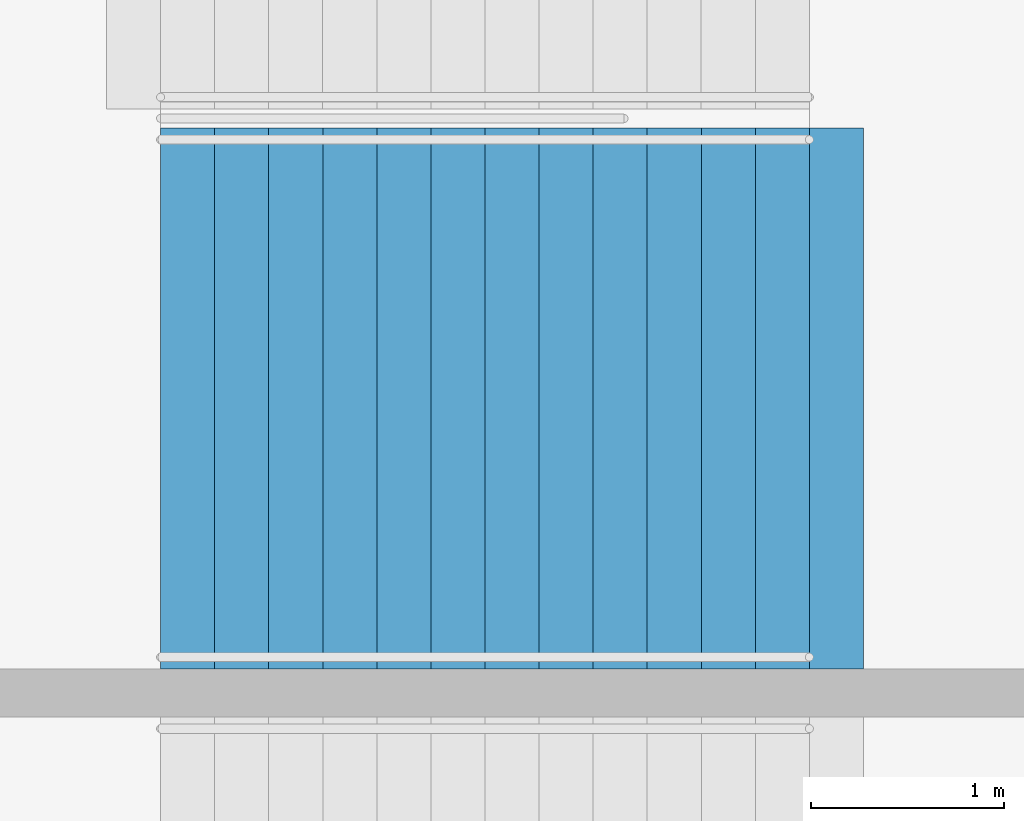
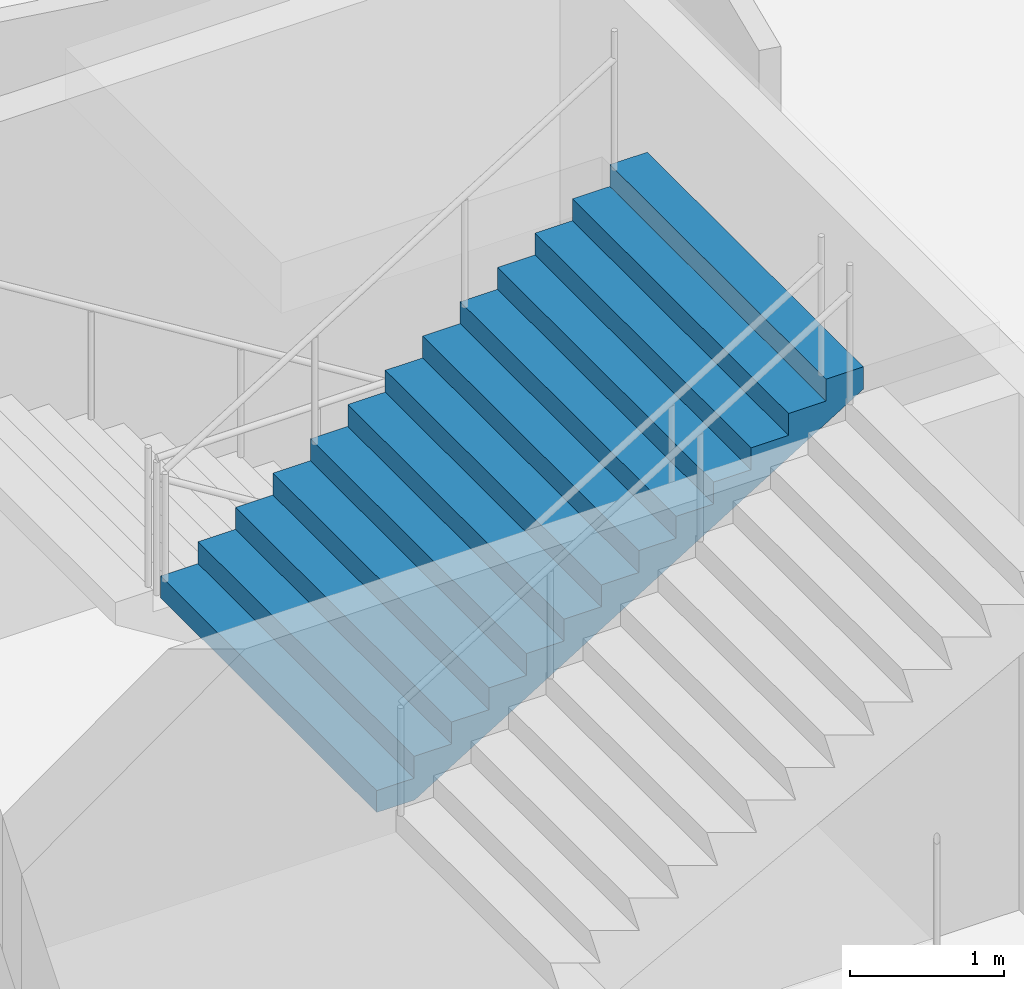
# One storey, part 111 of 175: 1 stair flight, 1 element without a shape of its own.
"""IFC4 building model written with IfcOpenShell, lengths in metres."""

from ifc_helpers import new_model, si_unit, direction, frame, origin, place, context, subcontext, project, spatial, faceted_brep, material, type_object, element, aggregate, save


model = new_model("IFC4")

# Units and contexts
model_context = context("Model", 3, precision=1e-05, world=origin(), true_north=direction((0.0, 1.0)))
body_context = subcontext(model_context, "Body", "Model", "MODEL_VIEW")
ifc_project = project(units=[si_unit("LENGTHUNIT", "METRE"), si_unit("AREAUNIT", "SQUARE_METRE"), si_unit("VOLUMEUNIT", "CUBIC_METRE"), si_unit("PLANEANGLEUNIT", "RADIAN"), si_unit("MASSUNIT", "GRAM", prefix="KILO")], contexts=[model_context])

# Site, building, storey
site_placement = place(None, origin())
site = spatial("IfcSite", under=ifc_project, at=site_placement, CompositionType="ELEMENT")
building_placement = place(site_placement, origin())
building = spatial("IfcBuilding", under=site, at=building_placement, Name="Ogive Plaza Stadium", CompositionType="ELEMENT")
storey_placement = place(building_placement, origin())
storey = spatial("IfcBuildingStorey", under=building, at=storey_placement, Name="L00", CompositionType="ELEMENT", Elevation=0.0)

# Stair, stair flight
ifc_material_1 = material(Name="Concrete C40/50", Category="concrete")
stair_type = type_object("IfcStairType", Name="Exit stair", PredefinedType="STRAIGHT_RUN_STAIR", material=ifc_material_1)
stair_placement = place(storey_placement, origin())
stair = element("IfcStair", 1, at=stair_placement, inside=storey, type_object=stair_type, Name="Exit stair ST28A L00 to L01", PredefinedType="STRAIGHT_RUN_STAIR")
ifc_material_2 = material(Name="Concrete C40/50", Category="concrete")
stair_flight_type = type_object("IfcStairFlightType", Name="Exit stair flight", PredefinedType="STRAIGHT", material=ifc_material_2)
stair_flight_placement = place(storey_placement, frame((-79.7099609375, 54.02490234375, 2.25), z_axis=(0.0, 0.0, 1.0), x_axis=(1.0, 0.0, 0.0)))
stair_flight = element("IfcStairFlight", 2, at=stair_flight_placement, type_object=stair_flight_type, Name="ST28A flight 2", NumberOfRisers=13, NumberOfTreads=12, PredefinedType="STRAIGHT", RiserHeight=0.173076923, TreadLength=0.28, context=body_context, shape_type="Brep", body=[
    faceted_brep([(0.28515625, -1.39990234375, 0.0), (3.639892578125, -1.39990234375, 2.07373046875), (3.639892578125, -1.39990234375, 2.25), (3.360107421875, -1.39990234375, 2.25), (3.360107421875, -1.39990234375, 2.076904296875), (3.080078125, -1.39990234375, 2.076904296875), (3.080078125, -1.39990234375, 1.90380859375), (2.800048828125, -1.39990234375, 1.90380859375), (2.800048828125, -1.39990234375, 1.730712890625), (2.52001953125, -1.39990234375, 1.730712890625), (2.52001953125, -1.39990234375, 1.5576171875), (2.239990234375, -1.39990234375, 1.5576171875), (2.239990234375, -1.39990234375, 1.384521484375), (1.9599609375, -1.39990234375, 1.384521484375), (1.9599609375, -1.39990234375, 1.21142578125), (1.679931640625, -1.39990234375, 1.21142578125), (1.679931640625, -1.39990234375, 1.03857421875), (1.39990234375, -1.39990234375, 1.03857421875), (1.39990234375, -1.39990234375, 0.865478515625), (1.1201171875, -1.39990234375, 0.865478515625), (1.1201171875, -1.39990234375, 0.6923828125), (0.840087890625, -1.39990234375, 0.6923828125), (0.840087890625, -1.39990234375, 0.519287109375), (0.56005859375, -1.39990234375, 0.519287109375), (0.56005859375, -1.39990234375, 0.34619140625), (0.280029296875, -1.39990234375, 0.34619140625), (0.280029296875, -1.39990234375, 0.173095703125), (0.0, -1.39990234375, 0.173095703125), (0.0, -1.39990234375, 0.0), (0.0, 1.39990234375, 0.0), (0.0, 1.39990234375, 0.173095703125), (0.280029296875, 1.39990234375, 0.173095703125), (0.280029296875, 1.39990234375, 0.34619140625), (0.56005859375, 1.39990234375, 0.34619140625), (0.56005859375, 1.39990234375, 0.519287109375), (0.840087890625, 1.39990234375, 0.519287109375), (0.840087890625, 1.39990234375, 0.6923828125), (1.1201171875, 1.39990234375, 0.6923828125), (1.1201171875, 1.39990234375, 0.865478515625), (1.39990234375, 1.39990234375, 0.865478515625), (1.39990234375, 1.39990234375, 1.03857421875), (1.679931640625, 1.39990234375, 1.03857421875), (1.679931640625, 1.39990234375, 1.21142578125), (1.9599609375, 1.39990234375, 1.21142578125), (1.9599609375, 1.39990234375, 1.384521484375), (2.239990234375, 1.39990234375, 1.384521484375), (2.239990234375, 1.39990234375, 1.5576171875), (2.52001953125, 1.39990234375, 1.5576171875), (2.52001953125, 1.39990234375, 1.730712890625), (2.800048828125, 1.39990234375, 1.730712890625), (2.800048828125, 1.39990234375, 1.90380859375), (3.080078125, 1.39990234375, 1.90380859375), (3.080078125, 1.39990234375, 2.076904296875), (3.360107421875, 1.39990234375, 2.076904296875), (3.360107421875, 1.39990234375, 2.25), (3.639892578125, 1.39990234375, 2.25), (3.639892578125, 1.39990234375, 2.07373046875), (0.28515625, 1.39990234375, 0.0), (0.28515625, -1.0888671875, 0.0), (3.639892578125, -1.0888671875, 2.07373046875), (0.28515625, -0.77783203125, 0.0), (3.639892578125, -0.77783203125, 2.07373046875), (0.28515625, -0.466796875, 0.0), (3.639892578125, -0.466796875, 2.07373046875), (0.28515625, -0.155517578125, 0.0), (3.639892578125, -0.155517578125, 2.07373046875), (0.28515625, 0.155517578125, 0.0), (3.639892578125, 0.155517578125, 2.07373046875), (0.28515625, 0.466796875, 0.0), (3.639892578125, 0.466796875, 2.07373046875), (0.28515625, 0.77783203125, 0.0), (3.639892578125, 0.77783203125, 2.07373046875), (0.28515625, 1.0888671875, 0.0), (3.639892578125, 1.0888671875, 2.07373046875), (3.639892578125, -1.0888671875, 2.25), (3.639892578125, -0.77783203125, 2.25), (3.639892578125, -0.466796875, 2.25), (3.639892578125, -0.155517578125, 2.25), (3.639892578125, 0.155517578125, 2.25), (3.639892578125, 0.466796875, 2.25), (3.639892578125, 0.77783203125, 2.25), (3.639892578125, 1.0888671875, 2.25), (3.360107421875, -1.0888671875, 2.25), (3.360107421875, -0.77783203125, 2.25), (3.360107421875, -0.466796875, 2.25), (3.360107421875, -0.155517578125, 2.25), (3.360107421875, 0.155517578125, 2.25), (3.360107421875, 0.466796875, 2.25), (3.360107421875, 0.77783203125, 2.25), (3.360107421875, 1.0888671875, 2.25), (3.360107421875, -1.0888671875, 2.076904296875), (3.360107421875, -0.77783203125, 2.076904296875), (3.360107421875, -0.466796875, 2.076904296875), (3.360107421875, -0.155517578125, 2.076904296875), (3.360107421875, 0.155517578125, 2.076904296875), (3.360107421875, 0.466796875, 2.076904296875), (3.360107421875, 0.77783203125, 2.076904296875), (3.360107421875, 1.0888671875, 2.076904296875), (3.080078125, -1.0888671875, 2.076904296875), (3.080078125, -0.77783203125, 2.076904296875), (3.080078125, -0.466796875, 2.076904296875), (3.080078125, -0.155517578125, 2.076904296875), (3.080078125, 0.155517578125, 2.076904296875), (3.080078125, 0.466796875, 2.076904296875), (3.080078125, 0.77783203125, 2.076904296875), (3.080078125, 1.0888671875, 2.076904296875), (3.080078125, -1.0888671875, 1.90380859375), (3.080078125, -0.77783203125, 1.90380859375), (3.080078125, -0.466796875, 1.90380859375), (3.080078125, -0.155517578125, 1.90380859375), (3.080078125, 0.155517578125, 1.90380859375), (3.080078125, 0.466796875, 1.90380859375), (3.080078125, 0.77783203125, 1.90380859375), (3.080078125, 1.0888671875, 1.90380859375), (2.800048828125, -1.0888671875, 1.90380859375), (2.800048828125, -0.77783203125, 1.90380859375), (2.800048828125, -0.466796875, 1.90380859375), (2.800048828125, -0.155517578125, 1.90380859375), (2.800048828125, 0.155517578125, 1.90380859375), (2.800048828125, 0.466796875, 1.90380859375), (2.800048828125, 0.77783203125, 1.90380859375), (2.800048828125, 1.0888671875, 1.90380859375), (2.800048828125, -1.0888671875, 1.730712890625), (2.800048828125, -0.77783203125, 1.730712890625), (2.800048828125, -0.466796875, 1.730712890625), (2.800048828125, -0.155517578125, 1.730712890625), (2.800048828125, 0.155517578125, 1.730712890625), (2.800048828125, 0.466796875, 1.730712890625), (2.800048828125, 0.77783203125, 1.730712890625), (2.800048828125, 1.0888671875, 1.730712890625), (2.52001953125, -1.0888671875, 1.730712890625), (2.52001953125, -0.77783203125, 1.730712890625), (2.52001953125, -0.466796875, 1.730712890625), (2.52001953125, -0.155517578125, 1.730712890625), (2.52001953125, 0.155517578125, 1.730712890625), (2.52001953125, 0.466796875, 1.730712890625), (2.52001953125, 0.77783203125, 1.730712890625), (2.52001953125, 1.0888671875, 1.730712890625), (2.52001953125, -1.0888671875, 1.5576171875), (2.52001953125, -0.77783203125, 1.5576171875), (2.52001953125, -0.466796875, 1.5576171875), (2.52001953125, -0.155517578125, 1.5576171875), (2.52001953125, 0.155517578125, 1.5576171875), (2.52001953125, 0.466796875, 1.5576171875), (2.52001953125, 0.77783203125, 1.5576171875), (2.52001953125, 1.0888671875, 1.5576171875), (2.239990234375, -1.0888671875, 1.5576171875), (2.239990234375, -0.77783203125, 1.5576171875), (2.239990234375, -0.466796875, 1.5576171875), (2.239990234375, -0.155517578125, 1.5576171875), (2.239990234375, 0.155517578125, 1.5576171875), (2.239990234375, 0.466796875, 1.5576171875), (2.239990234375, 0.77783203125, 1.5576171875), (2.239990234375, 1.0888671875, 1.5576171875), (2.239990234375, -1.0888671875, 1.384521484375), (2.239990234375, -0.77783203125, 1.384521484375), (2.239990234375, -0.466796875, 1.384521484375), (2.239990234375, -0.155517578125, 1.384521484375), (2.239990234375, 0.155517578125, 1.384521484375), (2.239990234375, 0.466796875, 1.384521484375), (2.239990234375, 0.77783203125, 1.384521484375), (2.239990234375, 1.0888671875, 1.384521484375), (1.9599609375, -1.0888671875, 1.384521484375), (1.9599609375, -0.77783203125, 1.384521484375), (1.9599609375, -0.466796875, 1.384521484375), (1.9599609375, -0.155517578125, 1.384521484375), (1.9599609375, 0.155517578125, 1.384521484375), (1.9599609375, 0.466796875, 1.384521484375), (1.9599609375, 0.77783203125, 1.384521484375), (1.9599609375, 1.0888671875, 1.384521484375), (1.9599609375, -1.0888671875, 1.21142578125), (1.9599609375, -0.77783203125, 1.21142578125), (1.9599609375, -0.466796875, 1.21142578125), (1.9599609375, -0.155517578125, 1.21142578125), (1.9599609375, 0.155517578125, 1.21142578125), (1.9599609375, 0.466796875, 1.21142578125), (1.9599609375, 0.77783203125, 1.21142578125), (1.9599609375, 1.0888671875, 1.21142578125), (1.679931640625, -1.0888671875, 1.21142578125), (1.679931640625, -0.77783203125, 1.21142578125), (1.679931640625, -0.466796875, 1.21142578125), (1.679931640625, -0.155517578125, 1.21142578125), (1.679931640625, 0.155517578125, 1.21142578125), (1.679931640625, 0.466796875, 1.21142578125), (1.679931640625, 0.77783203125, 1.21142578125), (1.679931640625, 1.0888671875, 1.21142578125), (1.679931640625, -1.0888671875, 1.03857421875), (1.679931640625, -0.77783203125, 1.03857421875), (1.679931640625, -0.466796875, 1.03857421875), (1.679931640625, -0.155517578125, 1.03857421875), (1.679931640625, 0.155517578125, 1.03857421875), (1.679931640625, 0.466796875, 1.03857421875), (1.679931640625, 0.77783203125, 1.03857421875), (1.679931640625, 1.0888671875, 1.03857421875), (1.39990234375, -1.0888671875, 1.03857421875), (1.39990234375, -0.77783203125, 1.03857421875), (1.39990234375, -0.466796875, 1.03857421875), (1.39990234375, -0.155517578125, 1.03857421875), (1.39990234375, 0.155517578125, 1.03857421875), (1.39990234375, 0.466796875, 1.03857421875), (1.39990234375, 0.77783203125, 1.03857421875), (1.39990234375, 1.0888671875, 1.03857421875), (1.39990234375, -1.0888671875, 0.865478515625), (1.39990234375, -0.77783203125, 0.865478515625), (1.39990234375, -0.466796875, 0.865478515625), (1.39990234375, -0.155517578125, 0.865478515625), (1.39990234375, 0.155517578125, 0.865478515625), (1.39990234375, 0.466796875, 0.865478515625), (1.39990234375, 0.77783203125, 0.865478515625), (1.39990234375, 1.0888671875, 0.865478515625), (1.1201171875, -1.0888671875, 0.865478515625), (1.1201171875, -0.77783203125, 0.865478515625), (1.1201171875, -0.466796875, 0.865478515625), (1.1201171875, -0.155517578125, 0.865478515625), (1.1201171875, 0.155517578125, 0.865478515625), (1.1201171875, 0.466796875, 0.865478515625), (1.1201171875, 0.77783203125, 0.865478515625), (1.1201171875, 1.0888671875, 0.865478515625), (1.1201171875, -1.0888671875, 0.6923828125), (1.1201171875, -0.77783203125, 0.6923828125), (1.1201171875, -0.466796875, 0.6923828125), (1.1201171875, -0.155517578125, 0.6923828125), (1.1201171875, 0.155517578125, 0.6923828125), (1.1201171875, 0.466796875, 0.6923828125), (1.1201171875, 0.77783203125, 0.6923828125), (1.1201171875, 1.0888671875, 0.6923828125), (0.840087890625, -1.0888671875, 0.6923828125), (0.840087890625, -0.77783203125, 0.6923828125), (0.840087890625, -0.466796875, 0.6923828125), (0.840087890625, -0.155517578125, 0.6923828125), (0.840087890625, 0.155517578125, 0.6923828125), (0.840087890625, 0.466796875, 0.6923828125), (0.840087890625, 0.77783203125, 0.6923828125), (0.840087890625, 1.0888671875, 0.6923828125), (0.840087890625, -1.0888671875, 0.519287109375), (0.840087890625, -0.77783203125, 0.519287109375), (0.840087890625, -0.466796875, 0.519287109375), (0.840087890625, -0.155517578125, 0.519287109375), (0.840087890625, 0.155517578125, 0.519287109375), (0.840087890625, 0.466796875, 0.519287109375), (0.840087890625, 0.77783203125, 0.519287109375), (0.840087890625, 1.0888671875, 0.519287109375), (0.56005859375, -1.0888671875, 0.519287109375), (0.56005859375, -0.77783203125, 0.519287109375), (0.56005859375, -0.466796875, 0.519287109375), (0.56005859375, -0.155517578125, 0.519287109375), (0.56005859375, 0.155517578125, 0.519287109375), (0.56005859375, 0.466796875, 0.519287109375), (0.56005859375, 0.77783203125, 0.519287109375), (0.56005859375, 1.0888671875, 0.519287109375), (0.56005859375, -1.0888671875, 0.34619140625), (0.56005859375, -0.77783203125, 0.34619140625), (0.56005859375, -0.466796875, 0.34619140625), (0.56005859375, -0.155517578125, 0.34619140625), (0.56005859375, 0.155517578125, 0.34619140625), (0.56005859375, 0.466796875, 0.34619140625), (0.56005859375, 0.77783203125, 0.34619140625), (0.56005859375, 1.0888671875, 0.34619140625), (0.280029296875, -1.0888671875, 0.34619140625), (0.280029296875, -0.77783203125, 0.34619140625), (0.280029296875, -0.466796875, 0.34619140625), (0.280029296875, -0.155517578125, 0.34619140625), (0.280029296875, 0.155517578125, 0.34619140625), (0.280029296875, 0.466796875, 0.34619140625), (0.280029296875, 0.77783203125, 0.34619140625), (0.280029296875, 1.0888671875, 0.34619140625), (0.280029296875, -1.0888671875, 0.173095703125), (0.280029296875, -0.77783203125, 0.173095703125), (0.280029296875, -0.466796875, 0.173095703125), (0.280029296875, -0.155517578125, 0.173095703125), (0.280029296875, 0.155517578125, 0.173095703125), (0.280029296875, 0.466796875, 0.173095703125), (0.280029296875, 0.77783203125, 0.173095703125), (0.280029296875, 1.0888671875, 0.173095703125), (0.0, -1.0888671875, 0.173095703125), (0.0, -0.77783203125, 0.173095703125), (0.0, -0.466796875, 0.173095703125), (0.0, -0.155517578125, 0.173095703125), (0.0, 0.155517578125, 0.173095703125), (0.0, 0.466796875, 0.173095703125), (0.0, 0.77783203125, 0.173095703125), (0.0, 1.0888671875, 0.173095703125), (0.0, -1.0888671875, 0.0), (0.0, -0.77783203125, 0.0), (0.0, -0.466796875, 0.0), (0.0, -0.155517578125, 0.0), (0.0, 0.155517578125, 0.0), (0.0, 0.466796875, 0.0), (0.0, 0.77783203125, 0.0), (0.0, 1.0888671875, 0.0)], [[[0, 1, 2, 3, 4, 5, 6, 7, 8, 9, 10, 11, 12, 13, 14, 15, 16, 17, 18, 19, 20, 21, 22, 23, 24, 25, 26, 27, 28]], [[29, 30, 31, 32, 33, 34, 35, 36, 37, 38, 39, 40, 41, 42, 43, 44, 45, 46, 47, 48, 49, 50, 51, 52, 53, 54, 55, 56, 57]], [[0, 58, 59, 1]], [[58, 60, 61, 59]], [[60, 62, 63, 61]], [[62, 64, 65, 63]], [[64, 66, 67, 65]], [[66, 68, 69, 67]], [[68, 70, 71, 69]], [[70, 72, 73, 71]], [[72, 57, 56, 73]], [[1, 59, 74, 2]], [[59, 61, 75, 74]], [[61, 63, 76, 75]], [[63, 65, 77, 76]], [[65, 67, 78, 77]], [[67, 69, 79, 78]], [[69, 71, 80, 79]], [[71, 73, 81, 80]], [[73, 56, 55, 81]], [[2, 74, 82, 3]], [[74, 75, 83, 82]], [[75, 76, 84, 83]], [[76, 77, 85, 84]], [[77, 78, 86, 85]], [[78, 79, 87, 86]], [[79, 80, 88, 87]], [[80, 81, 89, 88]], [[81, 55, 54, 89]], [[3, 82, 90, 4]], [[82, 83, 91, 90]], [[83, 84, 92, 91]], [[84, 85, 93, 92]], [[85, 86, 94, 93]], [[86, 87, 95, 94]], [[87, 88, 96, 95]], [[88, 89, 97, 96]], [[89, 54, 53, 97]], [[4, 90, 98, 5]], [[90, 91, 99, 98]], [[91, 92, 100, 99]], [[92, 93, 101, 100]], [[93, 94, 102, 101]], [[94, 95, 103, 102]], [[95, 96, 104, 103]], [[96, 97, 105, 104]], [[97, 53, 52, 105]], [[5, 98, 106, 6]], [[98, 99, 107, 106]], [[99, 100, 108, 107]], [[100, 101, 109, 108]], [[101, 102, 110, 109]], [[102, 103, 111, 110]], [[103, 104, 112, 111]], [[104, 105, 113, 112]], [[105, 52, 51, 113]], [[6, 106, 114, 7]], [[106, 107, 115, 114]], [[107, 108, 116, 115]], [[108, 109, 117, 116]], [[109, 110, 118, 117]], [[110, 111, 119, 118]], [[111, 112, 120, 119]], [[112, 113, 121, 120]], [[113, 51, 50, 121]], [[7, 114, 122, 8]], [[114, 115, 123, 122]], [[115, 116, 124, 123]], [[116, 117, 125, 124]], [[117, 118, 126, 125]], [[118, 119, 127, 126]], [[119, 120, 128, 127]], [[120, 121, 129, 128]], [[121, 50, 49, 129]], [[8, 122, 130, 9]], [[122, 123, 131, 130]], [[123, 124, 132, 131]], [[124, 125, 133, 132]], [[125, 126, 134, 133]], [[126, 127, 135, 134]], [[127, 128, 136, 135]], [[128, 129, 137, 136]], [[129, 49, 48, 137]], [[9, 130, 138, 10]], [[130, 131, 139, 138]], [[131, 132, 140, 139]], [[132, 133, 141, 140]], [[133, 134, 142, 141]], [[134, 135, 143, 142]], [[135, 136, 144, 143]], [[136, 137, 145, 144]], [[137, 48, 47, 145]], [[10, 138, 146, 11]], [[138, 139, 147, 146]], [[139, 140, 148, 147]], [[140, 141, 149, 148]], [[141, 142, 150, 149]], [[142, 143, 151, 150]], [[143, 144, 152, 151]], [[144, 145, 153, 152]], [[145, 47, 46, 153]], [[11, 146, 154, 12]], [[146, 147, 155, 154]], [[147, 148, 156, 155]], [[148, 149, 157, 156]], [[149, 150, 158, 157]], [[150, 151, 159, 158]], [[151, 152, 160, 159]], [[152, 153, 161, 160]], [[153, 46, 45, 161]], [[12, 154, 162, 13]], [[154, 155, 163, 162]], [[155, 156, 164, 163]], [[156, 157, 165, 164]], [[157, 158, 166, 165]], [[158, 159, 167, 166]], [[159, 160, 168, 167]], [[160, 161, 169, 168]], [[161, 45, 44, 169]], [[13, 162, 170, 14]], [[162, 163, 171, 170]], [[163, 164, 172, 171]], [[164, 165, 173, 172]], [[165, 166, 174, 173]], [[166, 167, 175, 174]], [[167, 168, 176, 175]], [[168, 169, 177, 176]], [[169, 44, 43, 177]], [[14, 170, 178, 15]], [[170, 171, 179, 178]], [[171, 172, 180, 179]], [[172, 173, 181, 180]], [[173, 174, 182, 181]], [[174, 175, 183, 182]], [[175, 176, 184, 183]], [[176, 177, 185, 184]], [[177, 43, 42, 185]], [[15, 178, 186, 16]], [[178, 179, 187, 186]], [[179, 180, 188, 187]], [[180, 181, 189, 188]], [[181, 182, 190, 189]], [[182, 183, 191, 190]], [[183, 184, 192, 191]], [[184, 185, 193, 192]], [[185, 42, 41, 193]], [[16, 186, 194, 17]], [[186, 187, 195, 194]], [[187, 188, 196, 195]], [[188, 189, 197, 196]], [[189, 190, 198, 197]], [[190, 191, 199, 198]], [[191, 192, 200, 199]], [[192, 193, 201, 200]], [[193, 41, 40, 201]], [[17, 194, 202, 18]], [[194, 195, 203, 202]], [[195, 196, 204, 203]], [[196, 197, 205, 204]], [[197, 198, 206, 205]], [[198, 199, 207, 206]], [[199, 200, 208, 207]], [[200, 201, 209, 208]], [[201, 40, 39, 209]], [[18, 202, 210, 19]], [[202, 203, 211, 210]], [[203, 204, 212, 211]], [[204, 205, 213, 212]], [[205, 206, 214, 213]], [[206, 207, 215, 214]], [[207, 208, 216, 215]], [[208, 209, 217, 216]], [[209, 39, 38, 217]], [[19, 210, 218, 20]], [[210, 211, 219, 218]], [[211, 212, 220, 219]], [[212, 213, 221, 220]], [[213, 214, 222, 221]], [[214, 215, 223, 222]], [[215, 216, 224, 223]], [[216, 217, 225, 224]], [[217, 38, 37, 225]], [[20, 218, 226, 21]], [[218, 219, 227, 226]], [[219, 220, 228, 227]], [[220, 221, 229, 228]], [[221, 222, 230, 229]], [[222, 223, 231, 230]], [[223, 224, 232, 231]], [[224, 225, 233, 232]], [[225, 37, 36, 233]], [[21, 226, 234, 22]], [[226, 227, 235, 234]], [[227, 228, 236, 235]], [[228, 229, 237, 236]], [[229, 230, 238, 237]], [[230, 231, 239, 238]], [[231, 232, 240, 239]], [[232, 233, 241, 240]], [[233, 36, 35, 241]], [[22, 234, 242, 23]], [[234, 235, 243, 242]], [[235, 236, 244, 243]], [[236, 237, 245, 244]], [[237, 238, 246, 245]], [[238, 239, 247, 246]], [[239, 240, 248, 247]], [[240, 241, 249, 248]], [[241, 35, 34, 249]], [[23, 242, 250, 24]], [[242, 243, 251, 250]], [[243, 244, 252, 251]], [[244, 245, 253, 252]], [[245, 246, 254, 253]], [[246, 247, 255, 254]], [[247, 248, 256, 255]], [[248, 249, 257, 256]], [[249, 34, 33, 257]], [[24, 250, 258, 25]], [[250, 251, 259, 258]], [[251, 252, 260, 259]], [[252, 253, 261, 260]], [[253, 254, 262, 261]], [[254, 255, 263, 262]], [[255, 256, 264, 263]], [[256, 257, 265, 264]], [[257, 33, 32, 265]], [[25, 258, 266, 26]], [[258, 259, 267, 266]], [[259, 260, 268, 267]], [[260, 261, 269, 268]], [[261, 262, 270, 269]], [[262, 263, 271, 270]], [[263, 264, 272, 271]], [[264, 265, 273, 272]], [[265, 32, 31, 273]], [[26, 266, 274, 27]], [[266, 267, 275, 274]], [[267, 268, 276, 275]], [[268, 269, 277, 276]], [[269, 270, 278, 277]], [[270, 271, 279, 278]], [[271, 272, 280, 279]], [[272, 273, 281, 280]], [[273, 31, 30, 281]], [[27, 274, 282, 28]], [[274, 275, 283, 282]], [[275, 276, 284, 283]], [[276, 277, 285, 284]], [[277, 278, 286, 285]], [[278, 279, 287, 286]], [[279, 280, 288, 287]], [[280, 281, 289, 288]], [[281, 30, 29, 289]], [[28, 282, 58, 0]], [[282, 283, 60, 58]], [[283, 284, 62, 60]], [[284, 285, 64, 62]], [[285, 286, 66, 64]], [[286, 287, 68, 66]], [[287, 288, 70, 68]], [[288, 289, 72, 70]], [[289, 29, 57, 72]]]),
])
aggregate(stair, [stair_flight])

save(model, "model.ifc")
